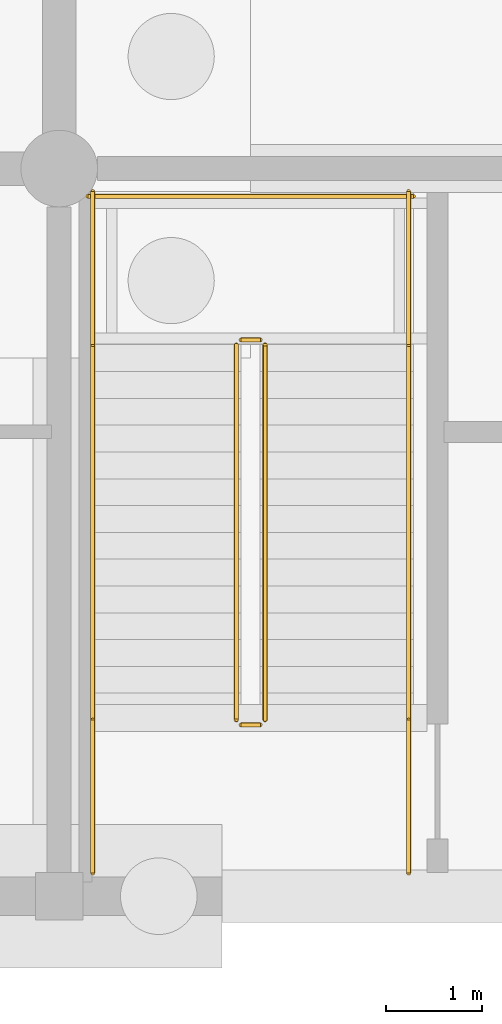
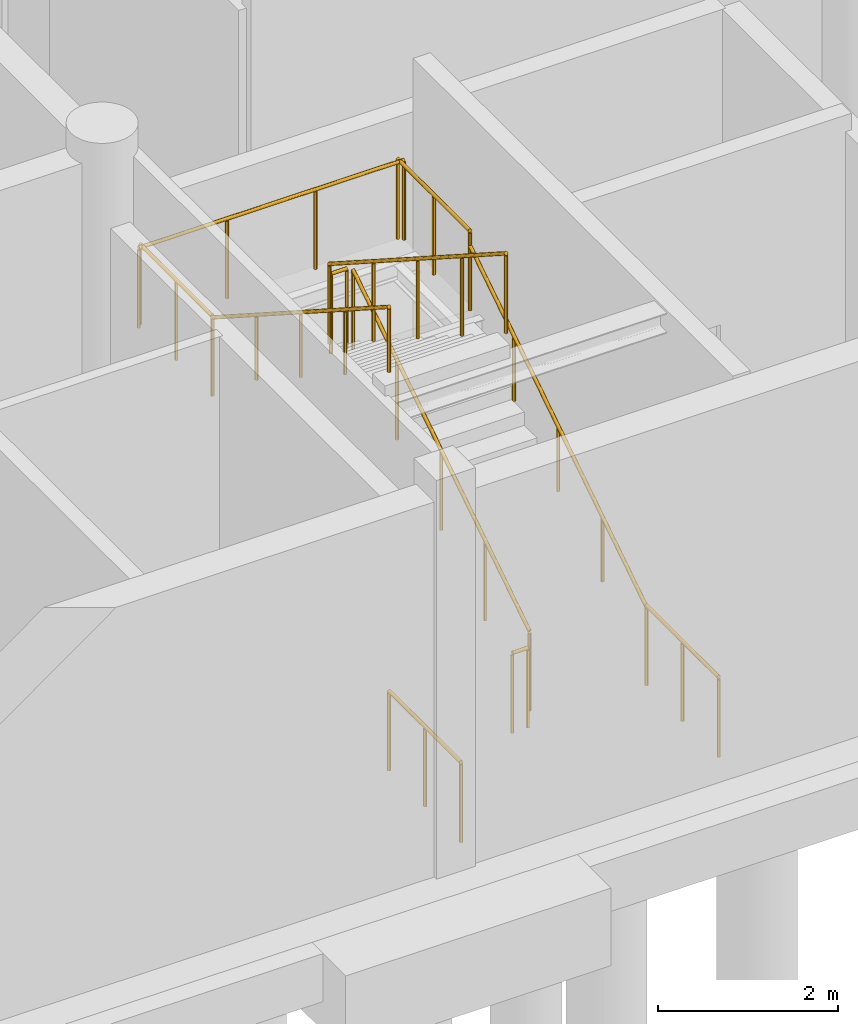
# One storey, part 36 of 44: 11 railings.
"""IFC4 building model written with IfcOpenShell, lengths in metres."""

from ifc_helpers import new_model, si_unit, direction, frame, origin, origin_2d, place, context, subcontext, project, spatial, circle, extrude, material, type_object, element, save


model = new_model("IFC4")

# Units and contexts
model_context = context("Model", 3, precision=1e-05, world=origin(), true_north=direction((0.0, 1.0)))
body_context = subcontext(model_context, "Body", "Model", "MODEL_VIEW")
ifc_project = project(units=[si_unit("LENGTHUNIT", "METRE"), si_unit("AREAUNIT", "SQUARE_METRE"), si_unit("VOLUMEUNIT", "CUBIC_METRE"), si_unit("PLANEANGLEUNIT", "RADIAN"), si_unit("MASSUNIT", "GRAM", prefix="KILO")], contexts=[model_context])

# Site, building, storey
site_placement = place(None, origin())
site = spatial("IfcSite", under=ifc_project, at=site_placement, CompositionType="ELEMENT")
building_placement = place(site_placement, origin())
building = spatial("IfcBuilding", under=site, at=building_placement, Name="Khelvaren Railside Concert Hall", CompositionType="ELEMENT")
storey_placement = place(building_placement, frame((0.0, 0.0, -5.39990234375)))
storey = spatial("IfcBuildingStorey", under=building, at=storey_placement, Name="B1", CompositionType="ELEMENT", Elevation=-5.39990234375)

# Railings
ifc_material_1 = material(Name="Painted architectural steel", Category="steel")
railing_type_1 = type_object("IfcRailingType", Name="GRD86", PredefinedType="GUARDRAIL", material=ifc_material_1)
railing_1_placement = place(storey_placement, frame((42.14990234375, 1.840087890625, 0.179931640625)))
element("IfcRailing", 1, at=railing_1_placement, inside=storey, type_object=railing_type_1, Name="B1 ST-02 stair guard 1", PredefinedType="GUARDRAIL", context=body_context, shape_type="SweptSolid", body=[
    extrude(circle(Radius=0.02392578125, at=origin_2d()), frame((0.0, 0.0, 1.076171875), z_axis=(0.0, 0.841171666519, 0.540768182723), x_axis=(-1.0, 0.0, 0.0)), (0.0, 0.0, 1.0), 4.66015625),
    extrude(circle(Radius=0.02099609375, at=origin_2d()), origin(), (0.0, 0.0, 1.0), 1.052001953125),
    extrude(circle(Radius=0.02099609375, at=origin_2d()), frame((0.0, 0.97998046875, 0.6298828125)), (0.0, 0.0, 1.0), 1.052001953125),
    extrude(circle(Radius=0.02099609375, at=origin_2d()), frame((0.0, 1.9599609375, 1.260009765625)), (0.0, 0.0, 1.0), 1.052001953125),
    extrude(circle(Radius=0.02099609375, at=origin_2d()), frame((0.0, 2.93994140625, 1.89013671875)), (0.0, 0.0, 1.0), 1.052001953125),
    extrude(circle(Radius=0.02099609375, at=origin_2d()), frame((0.0, 3.919921875, 2.52001953125)), (0.0, 0.0, 1.0), 1.052001953125),
])
railing_2_placement = place(storey_placement, frame((42.10009765625, 5.81005859375, 2.699951171875)))
element("IfcRailing", 2, at=railing_2_placement, inside=storey, type_object=railing_type_1, Name="B1 ST-02 stair guard 2", PredefinedType="GUARDRAIL", context=body_context, shape_type="SweptSolid", body=[
    extrude(circle(Radius=0.02392578125, at=origin_2d()), frame((0.0, 0.0, 1.076171875), z_axis=(-1.0, 0.0, 0.0), x_axis=(0.0, -1.0, 0.0)), (0.0, 0.0, 1.0), 0.2001953125),
    extrude(circle(Radius=0.02099609375, at=origin_2d()), origin(), (0.0, 0.0, 1.0), 1.052001953125),
    extrude(circle(Radius=0.02099609375, at=origin_2d()), frame((-0.2001953125, 0.0, 0.0)), (0.0, 0.0, 1.0), 1.052001953125),
])
for number, where, name in (
    (3, (43.64990234375, 5.760009765625, 2.699951171875), "B1 ST-02 stair guard 3"),
    (4, (40.35009765625, 5.760009765625, 2.699951171875), "B1 ST-02 stair guard 4"),
):
    element("IfcRailing", number, at=place(storey_placement, frame(where)), inside=storey, type_object=railing_type_1, Name=name, PredefinedType="GUARDRAIL", context=body_context, shape_type="SweptSolid", body=[
        extrude(circle(Radius=0.02392578125, at=origin_2d()), frame((0.0, 0.0, 1.076171875), z_axis=(0.0, 1.0, 0.0), x_axis=(-1.0, 0.0, 0.0)), (0.0, 0.0, 1.0), 1.60009765625),
        extrude(circle(Radius=0.02099609375, at=origin_2d()), origin(), (0.0, 0.0, 1.0), 1.052001953125),
        extrude(circle(Radius=0.02099609375, at=origin_2d()), frame((0.0, 0.800048828125, 0.0)), (0.0, 0.0, 1.0), 1.052001953125),
        extrude(circle(Radius=0.02099609375, at=origin_2d()), frame((0.0, 1.60009765625, 0.0)), (0.0, 0.0, 1.0), 1.052001953125),
    ])
railing_3_placement = place(storey_placement, frame((43.699951171875, 7.31005859375, 2.699951171875)))
element("IfcRailing", 5, at=railing_3_placement, inside=storey, type_object=railing_type_1, Name="B1 ST-02 stair guard 5", PredefinedType="GUARDRAIL", context=body_context, shape_type="SweptSolid", body=[
    extrude(circle(Radius=0.02392578125, at=origin_2d()), frame((0.0, 0.0, 1.076171875), z_axis=(-1.0, 0.0, 0.0), x_axis=(0.0, -1.0, 0.0)), (0.0, 0.0, 1.0), 3.39990234375),
    extrude(circle(Radius=0.02099609375, at=origin_2d()), origin(), (0.0, 0.0, 1.0), 1.052001953125),
    extrude(circle(Radius=0.02099609375, at=origin_2d()), frame((-1.13330078125, 0.0, 0.0)), (0.0, 0.0, 1.0), 1.052001953125),
    extrude(circle(Radius=0.02099609375, at=origin_2d()), frame((-2.2666015625, 0.0, 0.0)), (0.0, 0.0, 1.0), 1.052001953125),
    extrude(circle(Radius=0.02099609375, at=origin_2d()), frame((-3.39990234375, 0.0, 0.0)), (0.0, 0.0, 1.0), 1.052001953125),
])
railing_4_placement = place(storey_placement, frame((41.85009765625, 5.760009765625, 2.8798828125)))
element("IfcRailing", 6, at=railing_4_placement, inside=storey, type_object=railing_type_1, Name="B1 ST-02 stair guard 6", PredefinedType="GUARDRAIL", context=body_context, shape_type="SweptSolid", body=[
    extrude(circle(Radius=0.02392578125, at=origin_2d()), frame((0.0, 0.0, 1.076171875), z_axis=(0.0, -0.841171666519, 0.540768182723), x_axis=(1.0, 0.0, 0.0)), (0.0, 0.0, 1.0), 4.66015625),
    extrude(circle(Radius=0.02099609375, at=origin_2d()), origin(), (0.0, 0.0, 1.0), 1.052001953125),
    extrude(circle(Radius=0.02099609375, at=origin_2d()), frame((0.0, -0.97998046875, 0.6298828125)), (0.0, 0.0, 1.0), 1.052001953125),
    extrude(circle(Radius=0.02099609375, at=origin_2d()), frame((0.0, -1.9599609375, 1.260009765625)), (0.0, 0.0, 1.0), 1.052001953125),
    extrude(circle(Radius=0.02099609375, at=origin_2d()), frame((0.0, -2.93994140625, 1.89013671875)), (0.0, 0.0, 1.0), 1.052001953125),
    extrude(circle(Radius=0.02099609375, at=origin_2d()), frame((0.0, -3.919921875, 2.52001953125)), (0.0, 0.0, 1.0), 1.052001953125),
])
railing_5_placement = place(storey_placement, frame((42.10009765625, 1.7900390625, 0.0)))
element("IfcRailing", 7, at=railing_5_placement, inside=storey, type_object=railing_type_1, Name="B1 ST-02 stair guard 7", PredefinedType="GUARDRAIL", context=body_context, shape_type="SweptSolid", body=[
    extrude(circle(Radius=0.02392578125, at=origin_2d()), frame((0.0, 0.0, 1.076171875), z_axis=(-1.0, 0.0, 0.0), x_axis=(0.0, -1.0, 0.0)), (0.0, 0.0, 1.0), 0.2001953125),
    extrude(circle(Radius=0.02099609375, at=origin_2d()), origin(), (0.0, 0.0, 1.0), 1.052001953125),
    extrude(circle(Radius=0.02099609375, at=origin_2d()), frame((-0.2001953125, 0.0, 0.0)), (0.0, 0.0, 1.0), 1.052001953125),
])
for number, where, name in (
    (8, (43.64990234375, 0.239990234375, 0.0), "B1 ST-02 stair guard 8"),
    (9, (40.35009765625, 0.239990234375, 0.0), "B1 ST-02 stair guard 9"),
):
    element("IfcRailing", number, at=place(storey_placement, frame(where)), inside=storey, type_object=railing_type_1, Name=name, PredefinedType="GUARDRAIL", context=body_context, shape_type="SweptSolid", body=[
        extrude(circle(Radius=0.02392578125, at=origin_2d()), frame((0.0, 0.0, 1.076171875), z_axis=(0.0, 1.0, 0.0), x_axis=(-1.0, 0.0, 0.0)), (0.0, 0.0, 1.0), 1.60009765625),
        extrude(circle(Radius=0.02099609375, at=origin_2d()), origin(), (0.0, 0.0, 1.0), 1.052001953125),
        extrude(circle(Radius=0.02099609375, at=origin_2d()), frame((0.0, 0.800048828125, 0.0)), (0.0, 0.0, 1.0), 1.052001953125),
        extrude(circle(Radius=0.02099609375, at=origin_2d()), frame((0.0, 1.60009765625, 0.0)), (0.0, 0.0, 1.0), 1.052001953125),
    ])
ifc_material_2 = material(Name="Brushed stainless steel Grade 316", Category="steel")
railing_type_2 = type_object("IfcRailingType", Name="HRL59", PredefinedType="HANDRAIL", material=ifc_material_2)
railing_6_placement = place(storey_placement, frame((43.64990234375, 1.840087890625, 0.179931640625)))
element("IfcRailing", 10, at=railing_6_placement, inside=storey, type_object=railing_type_2, Name="B1 ST-02 stair handrail 1", PredefinedType="HANDRAIL", context=body_context, shape_type="SweptSolid", body=[
    extrude(circle(Radius=0.02392578125, at=origin_2d()), frame((0.0, 0.0, 0.8759765625), z_axis=(0.0, 0.841171666519, 0.540768182723), x_axis=(-1.0, 0.0, 0.0)), (0.0, 0.0, 1.0), 4.66015625),
    extrude(circle(Radius=0.02099609375, at=origin_2d()), origin(), (0.0, 0.0, 1.0), 0.851806640625),
    extrude(circle(Radius=0.02099609375, at=origin_2d()), frame((0.0, 0.97998046875, 0.6298828125)), (0.0, 0.0, 1.0), 0.851806640625),
    extrude(circle(Radius=0.02099609375, at=origin_2d()), frame((0.0, 1.9599609375, 1.260009765625)), (0.0, 0.0, 1.0), 0.851806640625),
    extrude(circle(Radius=0.02099609375, at=origin_2d()), frame((0.0, 2.93994140625, 1.89013671875)), (0.0, 0.0, 1.0), 0.851806640625),
    extrude(circle(Radius=0.02099609375, at=origin_2d()), frame((0.0, 3.919921875, 2.52001953125)), (0.0, 0.0, 1.0), 0.851806640625),
])
railing_7_placement = place(storey_placement, frame((40.35009765625, 5.760009765625, 2.8798828125)))
element("IfcRailing", 11, at=railing_7_placement, inside=storey, type_object=railing_type_2, Name="B1 ST-02 stair handrail 2", PredefinedType="HANDRAIL", context=body_context, shape_type="SweptSolid", body=[
    extrude(circle(Radius=0.02392578125, at=origin_2d()), frame((0.0, 0.0, 0.8759765625), z_axis=(0.0, -0.841171666519, 0.540768182723), x_axis=(1.0, 0.0, 0.0)), (0.0, 0.0, 1.0), 4.66015625),
    extrude(circle(Radius=0.02099609375, at=origin_2d()), origin(), (0.0, 0.0, 1.0), 0.851806640625),
    extrude(circle(Radius=0.02099609375, at=origin_2d()), frame((0.0, -0.97998046875, 0.6298828125)), (0.0, 0.0, 1.0), 0.851806640625),
    extrude(circle(Radius=0.02099609375, at=origin_2d()), frame((0.0, -1.9599609375, 1.260009765625)), (0.0, 0.0, 1.0), 0.851806640625),
    extrude(circle(Radius=0.02099609375, at=origin_2d()), frame((0.0, -2.93994140625, 1.89013671875)), (0.0, 0.0, 1.0), 0.851806640625),
    extrude(circle(Radius=0.02099609375, at=origin_2d()), frame((0.0, -3.919921875, 2.52001953125)), (0.0, 0.0, 1.0), 0.851806640625),
])

save(model, "model.ifc")
